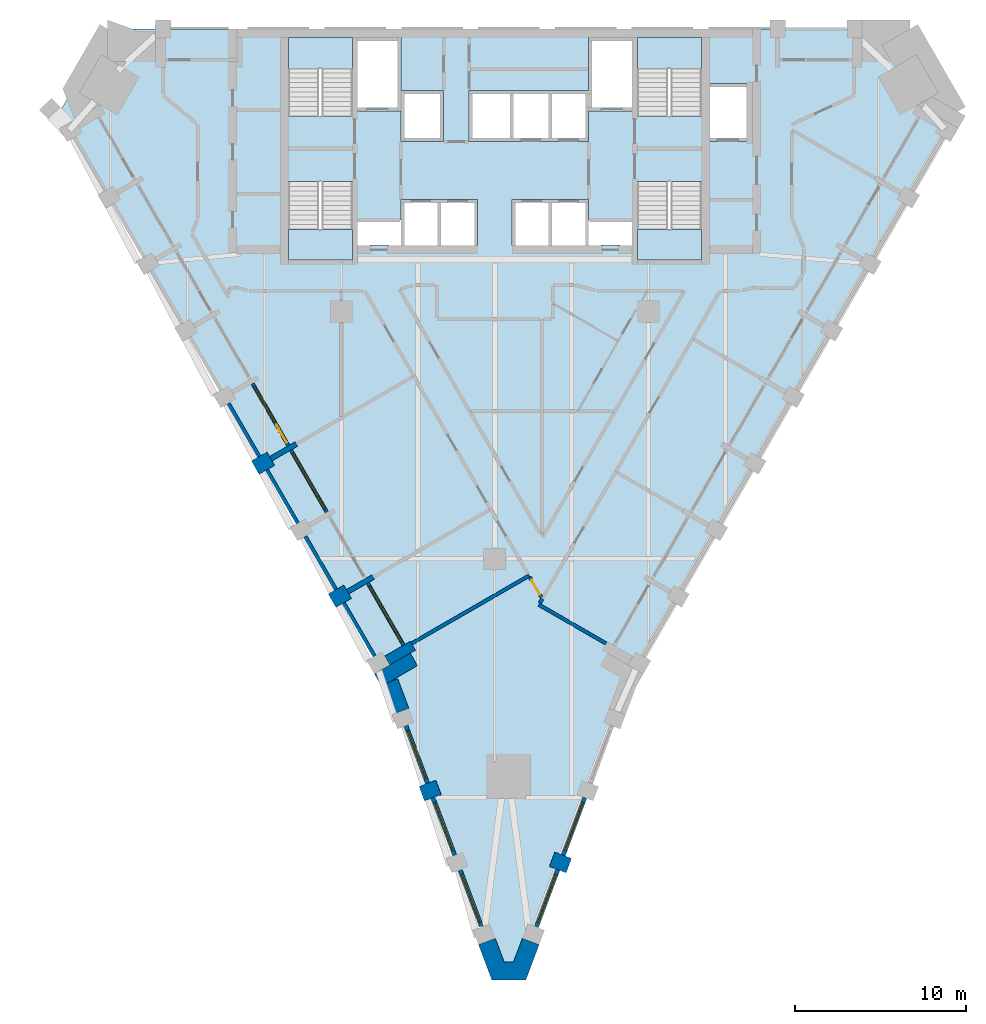
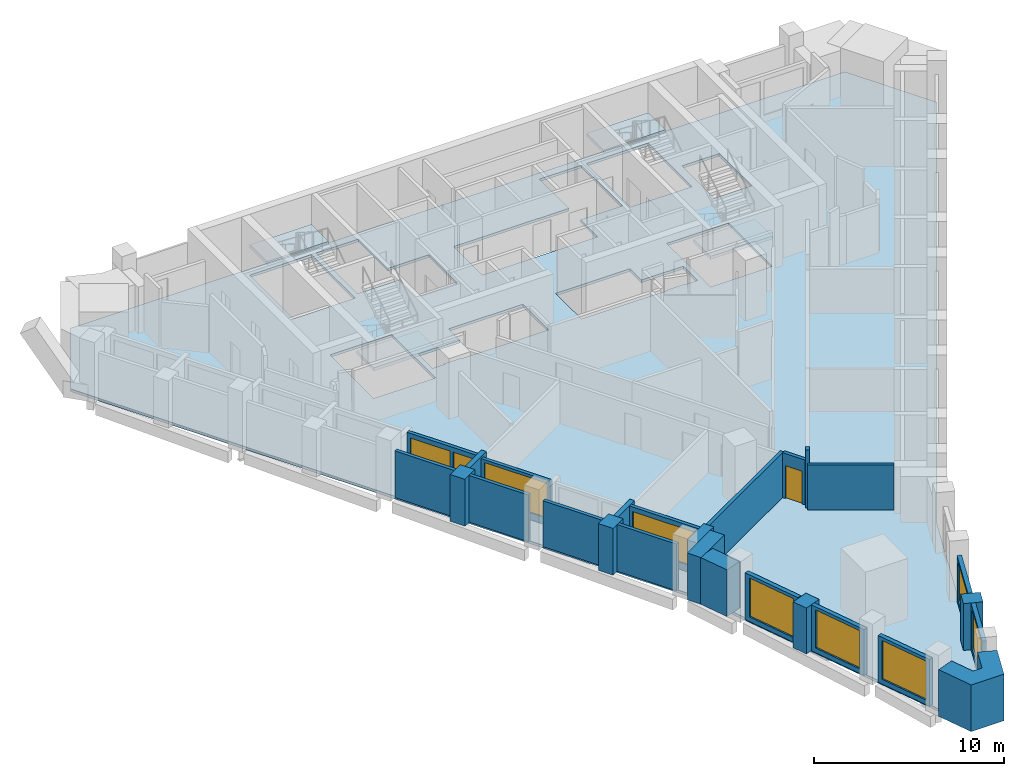
# One storey, part 2 of 9: 26 walls, 8 windows, 5 slabs, 2 doors, 10 openings, 4 elements without a shape of their own.
"""IFC4 building model written with IfcOpenShell, lengths in metres."""

import ifcopenshell
import ifcopenshell.guid

model = None  # the IFC model being written
_history = None  # IfcOwnerHistory: only IFC2X3 demands one
_inside = {}  # id of a spatial element -> (the spatial element, [elements in it])
_under = {}  # id of a project, library or spatial element -> (it, [spatial elements below it])
_declared = {}  # id of a project -> (the project, [libraries it declares])
_typed = {}  # id of a type object -> (the type object, [elements of that type])
_made_of = {}  # id of a material, layer set ... -> (it, [elements and type objects made of it])


def new_model(schema):
    """Start an empty IFC model of exactly this schema.

    Asked for "IFC4X3", IfcOpenShell would pick the latest addendum, in which some entities
    have other attributes; the version numbers below select the first issue.
    IFC2X3 requires an IfcOwnerHistory on every rooted entity: one is made here for all.
    """
    global model, _history
    if schema == "IFC4X3":
        model = ifcopenshell.file(schema_version=(4, 3, 0, 0))
    else:
        model = ifcopenshell.file(schema=schema)
    _inside.clear()
    _under.clear()
    _declared.clear()
    _typed.clear()
    _made_of.clear()
    _history = None
    if model.schema == "IFC2X3":
        org = make("IfcOrganization", Name="unknown")
        user = make(
            "IfcPersonAndOrganization",
            ThePerson=make("IfcPerson", FamilyName="unknown"),
            TheOrganization=org,
        )
        app = make(
            "IfcApplication",
            ApplicationDeveloper=org,
            Version="unknown",
            ApplicationFullName="unknown",
            ApplicationIdentifier="unknown",
        )
        _history = make(
            "IfcOwnerHistory",
            OwningUser=user,
            OwningApplication=app,
            ChangeAction="ADDED",
            CreationDate=0,
        )
    return model


def make(cls, **values):
    """One entity of the class cls with the attributes given. An attribute that is None is left unset."""
    return model.create_entity(
        cls, **{name: value for name, value in values.items() if value is not None}
    )


def rooted(cls, **values):
    """An entity with a GlobalId (a new one), such as an element, a storey or a relation."""
    return make(cls, GlobalId=ifcopenshell.guid.new(), OwnerHistory=_history, **values)


def si_unit(unit_type, name, prefix=None):
    """IfcSIUnit, for example si_unit("LENGTHUNIT", "METRE", prefix="MILLI")."""
    return make("IfcSIUnit", UnitType=unit_type, Prefix=prefix, Name=name)


def assignment(units):
    """IfcUnitAssignment: the units of a project."""
    return None if units is None else make("IfcUnitAssignment", Units=units)


def point(xyz):
    """IfcCartesianPoint."""
    return None if xyz is None else make("IfcCartesianPoint", Coordinates=xyz)


def direction(xyz):
    """IfcDirection."""
    return None if xyz is None else make("IfcDirection", DirectionRatios=xyz)


def frame(location, z_axis=None, x_axis=None):
    """IfcAxis2Placement3D, a coordinate frame: its origin and axes. An axis left out is left unset."""
    return make(
        "IfcAxis2Placement3D",
        Location=point(location),
        Axis=direction(z_axis),
        RefDirection=direction(x_axis),
    )


def frame_2d(location, x_axis=None):
    """IfcAxis2Placement2D, a coordinate frame in the plane: its origin and x axis."""
    return make(
        "IfcAxis2Placement2D", Location=point(location), RefDirection=direction(x_axis)
    )


def origin():
    """The frame at (0, 0, 0) with its axes left unset."""
    return frame((0.0, 0.0, 0.0))


def place(relative_to, where):
    """IfcLocalPlacement: puts the frame where relative to a parent placement (None: the world)."""
    return make(
        "IfcLocalPlacement", PlacementRelTo=relative_to, RelativePlacement=where
    )


def context(
    kind, dimensions, precision=None, world=None, true_north=None, identifier=None
):
    """IfcGeometricRepresentationContext, for example the 3D "Model" context."""
    return make(
        "IfcGeometricRepresentationContext",
        ContextIdentifier=identifier,
        ContextType=kind,
        CoordinateSpaceDimension=dimensions,
        Precision=precision,
        WorldCoordinateSystem=world,
        TrueNorth=true_north,
    )


def subcontext(parent, identifier, kind, view, scale=None):
    """IfcGeometricRepresentationSubContext, for example "Body" below "Model"."""
    return make(
        "IfcGeometricRepresentationSubContext",
        ContextIdentifier=identifier,
        ContextType=kind,
        ParentContext=parent,
        TargetScale=scale,
        TargetView=view,
    )


def project(units=None, contexts=None):
    """IfcProject with its units and contexts."""
    return rooted(
        "IfcProject",
        Name="project",
        RepresentationContexts=contexts,
        UnitsInContext=assignment(units),
    )


def spatial(cls, under=None, at=None, **own):
    """A site, building, storey or space (cls), placed at a placement, below another one or the project."""
    s = rooted(cls, ObjectPlacement=at, **own)
    if under is not None:
        _under.setdefault(under.id(), (under, []))[1].append(s)
    return s


def polyline(points):
    """IfcPolyline through the points."""
    return make("IfcPolyline", Points=[point(p) for p in points])


def profile(cls, at=None, kind="AREA", **sizes):
    """A parametric profile (cls). Its sizes go by their IFC names, for example OverallWidth=200.0."""
    return make(cls, ProfileType=kind, Position=at, **sizes)


def rectangle(**sizes):
    """IfcRectangleProfileDef."""
    return profile("IfcRectangleProfileDef", **sizes)


def outline(outer, holes=None, kind="AREA"):
    """IfcArbitraryClosedProfileDef: a profile drawn as a closed curve; with holes, ...WithVoids."""
    if holes is None:
        return make("IfcArbitraryClosedProfileDef", ProfileType=kind, OuterCurve=outer)
    return make(
        "IfcArbitraryProfileDefWithVoids",
        ProfileType=kind,
        OuterCurve=outer,
        InnerCurves=holes,
    )


def extrude(swept, where, along, depth):
    """IfcExtrudedAreaSolid: the profile swept, set in the frame where, extruded along a direction by depth."""
    return make(
        "IfcExtrudedAreaSolid",
        SweptArea=swept,
        Position=where,
        ExtrudedDirection=direction(along),
        Depth=depth,
    )


def shape(context_of_items, identifier, shape_type, items):
    """IfcShapeRepresentation: the items that make up one representation, for example the "Body"."""
    return make(
        "IfcShapeRepresentation",
        ContextOfItems=context_of_items,
        RepresentationIdentifier=identifier,
        RepresentationType=shape_type,
        Items=items,
    )


def material(Name=None, Category=None):
    """IfcMaterial."""
    return make("IfcMaterial", Name=Name, Category=Category)


def layer(
    of_material, thickness, ventilated=None, Name=None, Category=None, Priority=None
):
    """IfcMaterialLayer: one layer of a wall or slab, of a material (None: an air gap)."""
    return make(
        "IfcMaterialLayer",
        Material=of_material,
        LayerThickness=thickness,
        IsVentilated=ventilated,
        Name=Name,
        Category=Category,
        Priority=Priority,
    )


def layer_set(layers, Name=None):
    """IfcMaterialLayerSet."""
    return make("IfcMaterialLayerSet", MaterialLayers=layers, LayerSetName=Name)


def made_of(thing, what):
    """Note that an element or type object is made of a material, layer set ...; save() writes the relation."""
    if what is not None:
        _made_of.setdefault(what.id(), (what, []))[1].append(thing)
    return thing


def type_object(cls, material=None, **own):
    """A type object (cls), such as IfcWallType, which elements share."""
    return made_of(rooted(cls, **own), material)


def element(
    cls,
    number,
    at=None,
    inside=None,
    cuts=None,
    type_object=None,
    material=None,
    context=None,
    identifier="Body",
    shape_type=None,
    held_by="IfcProductDefinitionShape",
    body=None,
    shapes=None,
    **own,
):
    """One element of the class cls, such as IfcWall. Its Tag is "e" and its number.

    at: its placement. inside: the storey or other place that contains it. cuts: it is an
    opening in that element (IfcRelVoidsElement). A single representation is given by context,
    identifier, shape_type and body (its items); several are given by shapes. held_by: the class
    of the entity that holds the representations. save() writes the other relations.
    """
    e = rooted(cls, Tag="e%d" % number, ObjectPlacement=at, **own)
    if body is not None:
        shapes = [shape(context, identifier, shape_type, body)]
    if shapes is not None:
        e.Representation = make(held_by, Representations=shapes)
    if inside is not None:
        _inside.setdefault(inside.id(), (inside, []))[1].append(e)
    if cuts is not None:
        rooted(
            "IfcRelVoidsElement", RelatingBuildingElement=cuts, RelatedOpeningElement=e
        )
    if type_object is not None:
        _typed.setdefault(type_object.id(), (type_object, []))[1].append(e)
    return made_of(e, material)


def fill(opening, filler):
    """IfcRelFillsElement: the door or window that sits in an opening."""
    return rooted(
        "IfcRelFillsElement",
        RelatingOpeningElement=opening,
        RelatedBuildingElement=filler,
    )


def aggregate(whole, parts):
    """IfcRelAggregates: a whole, such as a stair, and the parts it consists of."""
    return rooted("IfcRelAggregates", RelatingObject=whole, RelatedObjects=parts)


def save(model, path):
    """Write the relations noted so far, then the file.

    IfcRelAggregates (storeys below a building ...), IfcRelContainedInSpatialStructure (elements
    in a storey), IfcRelDefinesByType, IfcRelAssociatesMaterial and IfcRelDeclares: one each for
    every whole, place, type object, material and project.
    """
    for whole, parts in _under.values():
        aggregate(whole, parts)
    for where, things in _inside.values():
        rooted(
            "IfcRelContainedInSpatialStructure",
            RelatedElements=things,
            RelatingStructure=where,
        )
    for kind, things in _typed.values():
        rooted("IfcRelDefinesByType", RelatedObjects=things, RelatingType=kind)
    for what, things in _made_of.values():
        rooted("IfcRelAssociatesMaterial", RelatedObjects=things, RelatingMaterial=what)
    for by, libraries in _declared.values():
        rooted("IfcRelDeclares", RelatingContext=by, RelatedDefinitions=libraries)
    model.write(path)


model = new_model("IFC4")

# Units and contexts
model_context = context("Model", 3, precision=1e-05, world=origin(), true_north=direction((0.0, 1.0)))
body_context = subcontext(model_context, "Body", "Model", "MODEL_VIEW")
ifc_project = project(units=[si_unit("LENGTHUNIT", "METRE"), si_unit("AREAUNIT", "SQUARE_METRE"), si_unit("VOLUMEUNIT", "CUBIC_METRE"), si_unit("PLANEANGLEUNIT", "RADIAN"), si_unit("MASSUNIT", "GRAM", prefix="KILO")], contexts=[model_context])

# Site, building, storey
site_placement = place(None, origin())
site = spatial("IfcSite", under=ifc_project, at=site_placement, CompositionType="ELEMENT")
building_placement = place(site_placement, origin())
building = spatial("IfcBuilding", under=site, at=building_placement, Name="Calabash Gate Tower", CompositionType="ELEMENT")
storey_placement = place(building_placement, frame((0.0, 0.0, 179.699951171875)))
storey = spatial("IfcBuildingStorey", under=building, at=storey_placement, Name="L42", CompositionType="ELEMENT", Elevation=179.699951171875)

# Slab
ifc_material_1 = material(Name="Concrete C40/50", Category="concrete")
ifc_layer_1 = layer(ifc_material_1, 0.169921875)
ifc_layer_set_1 = layer_set([ifc_layer_1], Name="Composite floor slab 170 Concrete C40/50")
slab_type_1 = type_object("IfcSlabType", Name="Composite floor slab 170 Concrete C40/50", PredefinedType="FLOOR", material=ifc_layer_set_1)
slab_1_placement = place(storey_placement, frame((0.0, 0.0, -0.169921875)))
element("IfcSlab", 1, at=slab_1_placement, inside=storey, type_object=slab_type_1, Name="Floor slab L42", PredefinedType="FLOOR", context=body_context, shape_type="SweptSolid", body=[
    extrude(outline(polyline([(-22.68798828125, 19.052490234375), (24.33154296875, 19.052490234375), (27.12158203125, 14.22021484375), (7.82177734375, -19.207763671875), (1.455078125, -36.147216796875), (0.1884765625, -36.147216796875), (-6.17822265625, -19.207763671875), (-25.477783203125, 14.22021484375), (-22.68798828125, 19.052490234375)]), holes=[polyline([(-3.25, 9.052490234375), (-5.5, 9.052490234375), (-5.5, 7.8525390625), (-8.050048828125, 7.8525390625), (-8.050048828125, 6.3525390625), (-7.324951171875, 6.3525390625), (-7.324951171875, 6.402587890625), (-6.22509765625, 6.402587890625), (-6.22509765625, 6.3525390625), (-5.5, 6.3525390625), (-3.25, 6.3525390625), (-1.0, 6.3525390625), (-1.0, 9.052490234375), (-3.25, 9.052490234375)]), polyline([(5.5, 6.3525390625), (6.22509765625, 6.3525390625), (6.22509765625, 6.402587890625), (7.324951171875, 6.402587890625), (7.324951171875, 6.3525390625), (8.050048828125, 6.3525390625), (8.050048828125, 7.8525390625), (5.5, 7.8525390625), (5.5, 9.052490234375), (3.25, 9.052490234375), (1.0, 9.052490234375), (1.0, 6.3525390625), (3.25, 6.3525390625), (5.5, 6.3525390625)]), polyline([(-5.5, 12.45263671875), (-3.0, 12.45263671875), (-3.0, 15.45263671875), (-5.5, 15.45263671875), (-5.5, 18.552490234375), (-8.050048828125, 18.552490234375), (-8.050048828125, 14.252685546875), (-5.5, 14.252685546875), (-5.5, 12.45263671875)]), polyline([(-1.5, 15.45263671875), (-1.5, 12.45263671875), (1.0, 12.45263671875), (3.25, 12.45263671875), (5.5, 12.45263671875), (5.5, 14.252685546875), (8.050048828125, 14.252685546875), (8.050048828125, 18.552490234375), (5.5, 18.552490234375), (5.5, 15.45263671875), (3.25, 15.45263671875), (1.0, 15.45263671875), (-1.5, 15.45263671875)]), polyline([(14.85009765625, 15.8525390625), (12.60009765625, 15.8525390625), (12.60009765625, 12.45263671875), (14.85009765625, 12.45263671875), (14.85009765625, 15.8525390625)]), polyline([(-8.35009765625, 18.552490234375), (-12.10009765625, 18.552490234375), (-12.10009765625, 13.95263671875), (-8.35009765625, 13.95263671875), (-8.35009765625, 18.552490234375)]), polyline([(-12.10009765625, 10.1025390625), (-12.10009765625, 5.502685546875), (-8.35009765625, 5.502685546875), (-8.35009765625, 10.1025390625), (-12.10009765625, 10.1025390625)]), polyline([(8.35009765625, 13.95263671875), (12.10009765625, 13.95263671875), (12.10009765625, 18.552490234375), (8.35009765625, 18.552490234375), (8.35009765625, 13.95263671875)]), polyline([(12.10009765625, 5.502685546875), (12.10009765625, 10.1025390625), (8.35009765625, 10.1025390625), (8.35009765625, 5.502685546875), (12.10009765625, 5.502685546875)])]), origin(), (0.0, 0.0, 1.0), 0.169921875),
])

# Stair, slab
ifc_material_2 = material(Name="Concrete C40/50", Category="concrete")
stair_type = type_object("IfcStairType", Name="Exit stair 22 risers of 177.3 mm", PredefinedType="HALF_TURN_STAIR", material=ifc_material_2)
stair_1_placement = place(storey_placement, origin())
stair_1 = element("IfcStair", 2, at=stair_1_placement, inside=storey, type_object=stair_type, Name="L42 Exit stair ST1", PredefinedType="HALF_TURN_STAIR")
ifc_material_3 = material(Name="Concrete C40/50", Category="concrete")
ifc_layer_2 = layer(ifc_material_3, 0.199951171875)
ifc_layer_set_2 = layer_set([ifc_layer_2], Name="Stair landing SL200")
slab_type_2 = type_object("IfcSlabType", Name="Stair landing SL200", PredefinedType="LANDING", material=ifc_layer_set_2)
slab_2_placement = place(storey_placement, frame((0.0, 0.0, 1.75)))
slab_2 = element("IfcSlab", 3, at=slab_2_placement, type_object=slab_type_2, Name="ST1 landing 1", PredefinedType="LANDING", context=body_context, shape_type="SweptSolid", body=[
    extrude(outline(polyline([(-8.35009765625, 16.74267578125), (-8.35009765625, 18.552490234375), (-12.10009765625, 18.552490234375), (-12.10009765625, 16.74267578125), (-8.35009765625, 16.74267578125)])), origin(), (0.0, 0.0, 1.0), 0.199951171875),
])
aggregate(stair_1, [slab_2])

stair_2_placement = place(storey_placement, origin())
stair_2 = element("IfcStair", 4, at=stair_2_placement, inside=storey, type_object=stair_type, Name="L42 Exit stair ST2", PredefinedType="HALF_TURN_STAIR")
slab_3_placement = place(storey_placement, frame((0.0, 0.0, 1.75)))
slab_3 = element("IfcSlab", 5, at=slab_3_placement, type_object=slab_type_2, Name="ST2 landing 1", PredefinedType="LANDING", context=body_context, shape_type="SweptSolid", body=[
    extrude(outline(polyline([(-12.10009765625, 7.3125), (-12.10009765625, 5.502685546875), (-8.35009765625, 5.502685546875), (-8.35009765625, 7.3125), (-12.10009765625, 7.3125)])), origin(), (0.0, 0.0, 1.0), 0.199951171875),
])
aggregate(stair_2, [slab_3])

stair_3_placement = place(storey_placement, origin())
stair_3 = element("IfcStair", 6, at=stair_3_placement, inside=storey, type_object=stair_type, Name="L42 Exit stair ST3", PredefinedType="HALF_TURN_STAIR")
slab_4_placement = place(storey_placement, frame((0.0, 0.0, 1.75)))
slab_4 = element("IfcSlab", 7, at=slab_4_placement, type_object=slab_type_2, Name="ST3 landing 1", PredefinedType="LANDING", context=body_context, shape_type="SweptSolid", body=[
    extrude(outline(polyline([(12.10009765625, 16.74267578125), (12.10009765625, 18.552490234375), (8.35009765625, 18.552490234375), (8.35009765625, 16.74267578125), (12.10009765625, 16.74267578125)])), origin(), (0.0, 0.0, 1.0), 0.199951171875),
])
aggregate(stair_3, [slab_4])

stair_4_placement = place(storey_placement, origin())
stair_4 = element("IfcStair", 8, at=stair_4_placement, inside=storey, type_object=stair_type, Name="L42 Exit stair ST4", PredefinedType="HALF_TURN_STAIR")
slab_5_placement = place(storey_placement, frame((0.0, 0.0, 1.75)))
slab_5 = element("IfcSlab", 9, at=slab_5_placement, type_object=slab_type_2, Name="ST4 landing 1", PredefinedType="LANDING", context=body_context, shape_type="SweptSolid", body=[
    extrude(outline(polyline([(8.35009765625, 7.3125), (8.35009765625, 5.502685546875), (12.10009765625, 5.502685546875), (12.10009765625, 7.3125), (8.35009765625, 7.3125)])), origin(), (0.0, 0.0, 1.0), 0.199951171875),
])
aggregate(stair_4, [slab_5])

# Walls
ifc_material_4 = material(Name="Terracotta brick masonry, exposed face", Category="masonry")
ifc_layer_3 = layer(ifc_material_4, 2.425048828125)
ifc_layer_set_3 = layer_set([ifc_layer_3], Name="Brick corner mass wall 2425")
wall_type_1 = type_object("IfcWallType", Name="Brick corner mass wall 2425", PredefinedType="SOLIDWALL", material=ifc_layer_set_3)
wall_1_placement = place(storey_placement, frame((-6.84521484375, -19.102294921875, 0.0), z_axis=(0.0, 0.0, 1.0), x_axis=(0.866041403502, 0.499972286653, 0.0)))
element("IfcWall", 10, at=wall_1_placement, inside=storey, type_object=wall_type_1, Name="Brick corner pier S12 1", PredefinedType="SOLIDWALL", context=body_context, shape_type="SweptSolid", body=[
    extrude(rectangle(XDim=2.425048828125, YDim=0.849609375, at=frame_2d((1.21240234375, 0.0))), origin(), (0.0, 0.0, 1.0), 3.0),
])
ifc_material_5 = material(Name="Terracotta brick masonry, exposed face", Category="masonry")
ifc_layer_4 = layer(ifc_material_5, 1.050048828125)
ifc_layer_set_4 = layer_set([ifc_layer_4], Name="Brick end wall 1050")
wall_type_2 = type_object("IfcWallType", Name="Brick end wall 1050", PredefinedType="SOLIDWALL", material=ifc_layer_set_4)
for number, where, z_axis, x_axis, name in (
    (11, (-14.03271484375, -6.6533203125, 0.0), (0.0, 0.0, 1.0), (0.866088799389, 0.499890179513, 0.0), "Brick pier S12 SW0.5"),
    (12, (-8.623291015625, -13.922607421875, 0.0), (0.0, 0.0, 1.0), (-0.866088799389, -0.499890179513, 0.0), "Brick pier S12 SW0.7"),
):
    element("IfcWall", number, at=place(storey_placement, frame(where, z_axis=z_axis, x_axis=x_axis)), inside=storey, type_object=wall_type_2, Name=name, PredefinedType="SOLIDWALL", context=body_context, shape_type="SweptSolid", body=[
        extrude(rectangle(XDim=1.050048828125, YDim=0.89990234375, at=frame_2d((0.52490234375, 0.0))), origin(), (0.0, 0.0, 1.0), 3.0),
    ])
wall_2_placement = place(storey_placement, frame((-3.294921875, -25.38671875, 0.0), z_axis=(0.0, 0.0, 1.0), x_axis=(-0.936080509118, -0.351785844584, 0.0)))
element("IfcWall", 13, at=wall_2_placement, inside=storey, type_object=wall_type_2, Name="Brick pier S12 wedge1.1", PredefinedType="SOLIDWALL", context=body_context, shape_type="SweptSolid", body=[
    extrude(rectangle(XDim=1.050048828125, YDim=0.89990234375, at=frame_2d((0.52490234375, 0.0))), origin(), (0.0, 0.0, 1.0), 2.9501953125),
])
wall_3_placement = place(storey_placement, frame((3.35546875, -29.598876953125, 0.0), z_axis=(0.0, 0.0, 1.0), x_axis=(0.936003928089, -0.351989554676, 0.0)))
element("IfcWall", 14, at=wall_3_placement, inside=storey, type_object=wall_type_2, Name="Brick pier S12 wedge3.1", PredefinedType="SOLIDWALL", context=body_context, shape_type="SweptSolid", body=[
    extrude(rectangle(XDim=1.050048828125, YDim=0.89990234375, at=frame_2d((0.52490234375, 0.0))), origin(), (0.0, 0.0, 1.0), 3.0),
])
wall_4_placement = place(storey_placement, origin())
element("IfcWall", 15, at=wall_4_placement, inside=storey, type_object=wall_type_2, Name="Brick end wall S12 1", PredefinedType="SOLIDWALL", context=body_context, shape_type="SweptSolid", body=[
    extrude(outline(polyline([(-5.036376953125, -20.753173828125), (-5.686767578125, -19.023193359375), (-6.17822265625, -19.207763671875), (-6.6328125, -19.47021484375), (-6.654296875, -19.432861328125), (-6.01953125, -21.122314453125), (-5.036865234375, -20.753173828125), (-5.036865234375, -20.753173828125), (-5.036376953125, -20.753173828125)])), origin(), (0.0, 0.0, 1.0), 3.0),
])
wall_5_placement = place(storey_placement, origin())
element("IfcWall", 16, at=wall_5_placement, inside=storey, type_object=wall_type_2, Name="Brick end wall S12 2", PredefinedType="SOLIDWALL", context=body_context, shape_type="SweptSolid", body=[
    extrude(outline(polyline([(0.552001953125, -35.622314453125), (0.02978515625, -34.232421875), (-0.953125, -34.60205078125), (-0.175048828125, -36.67236328125), (1.818603515625, -36.67236328125), (2.596923828125, -34.601806640625), (1.614013671875, -34.232421875), (1.091552734375, -35.622314453125), (0.552001953125, -35.622314453125)])), origin(), (0.0, 0.0, 1.0), 3.0),
])
ifc_material_6 = material(Name="Terracotta brick masonry, exposed face", Category="masonry")
ifc_layer_5 = layer(ifc_material_6, 0.300048828125)
ifc_layer_set_5 = layer_set([ifc_layer_5], Name="Brick loggia cheek wall 300")
wall_type_3 = type_object("IfcWallType", Name="Brick loggia cheek wall 300", PredefinedType="SOLIDWALL", material=ifc_layer_set_5)
for number, where, z_axis, x_axis, name in (
    (17, (-11.62939453125, -5.265869140625, 0.0), (0.0, 0.0, 1.0), (-0.866013532718, -0.500020560727, 0.0), "Loggia cheek S12 SW0.5"),
    (18, (-8.623291015625, -13.922607421875, 0.0), (0.0, 0.0, 1.0), (0.866013532718, 0.500020560727, 0.0), "Loggia cheek S12 SW0.7"),
):
    element("IfcWall", number, at=place(storey_placement, frame(where, z_axis=z_axis, x_axis=x_axis)), inside=storey, type_object=wall_type_3, Name=name, PredefinedType="SOLIDWALL", context=body_context, shape_type="SweptSolid", body=[
        extrude(rectangle(XDim=1.72509765625, YDim=0.300048828125, at=frame_2d((0.862548828125, 0.0))), origin(), (0.0, 0.0, 1.0), 3.0),
    ])
wall_6_placement = place(storey_placement, frame((-4.804443359375, -17.087158203125, 0.0), z_axis=(0.0, 0.0, 1.0), x_axis=(-0.866013532718, -0.500020560727, 0.0)))
element("IfcWall", 19, at=wall_6_placement, inside=storey, type_object=wall_type_3, Name="Loggia cheek S12 SW0.8", PredefinedType="SOLIDWALL", context=body_context, shape_type="SweptSolid", body=[
    extrude(rectangle(XDim=1.72509765625, YDim=0.60009765625, at=frame_2d((0.862548828125, 0.0))), origin(), (0.0, 0.0, 1.0), 3.0),
])
ifc_material_7 = material(Name="Gypsum board on steel studs, mineral wool", Category="steel")
ifc_layer_6 = layer(ifc_material_7, 0.199951171875)
ifc_layer_set_6 = layer_set([ifc_layer_6], Name="Partition 200 gypsum board EI 60")
wall_type_4 = type_object("IfcWallType", Name="Partition 200 gypsum board EI 60", PredefinedType="PARTITIONING", material=ifc_layer_set_6)
wall_7_placement = place(storey_placement, frame((2.58251953125, -14.6826171875, 0.0), z_axis=(0.0, 0.0, 1.0), x_axis=(0.866012237902, -0.500022803284, 0.0)))
element("IfcWall", 20, at=wall_7_placement, inside=storey, type_object=wall_type_4, Name="Partition", PredefinedType="PARTITIONING", context=body_context, shape_type="SweptSolid", body=[
    extrude(rectangle(XDim=4.550048828125, YDim=0.199951171875, at=frame_2d((2.27490234375, 0.0))), origin(), (0.0, 0.0, 1.0), 2.884033203125),
])
wall_8_placement = place(storey_placement, frame((2.63232421875, -14.595947265625, 0.0), z_axis=(0.0, 0.0, 1.0), x_axis=(0.499074005857, 0.866559367082, 0.0)))
element("IfcWall", 21, at=wall_8_placement, inside=storey, type_object=wall_type_4, Name="Partition", PredefinedType="PARTITIONING", context=body_context, shape_type="SweptSolid", body=[
    extrude(rectangle(XDim=0.30419921875, YDim=0.199951171875, at=frame_2d((0.152099609375, 0.0))), origin(), (0.0, 0.0, 1.0), 3.72998046875),
])

# Wall, opening, door
wall_9_placement = place(storey_placement, frame((2.05419921875, -13.0703125, 0.0), z_axis=(0.0, 0.0, 1.0), x_axis=(0.500759821175, -0.865586276172, 0.0)))
wall_9 = element("IfcWall", 22, at=wall_9_placement, inside=storey, type_object=wall_type_4, Name="Partition", PredefinedType="PARTITIONING", context=body_context, shape_type="SweptSolid", body=[
    extrude(rectangle(XDim=1.35791015625, YDim=0.199951171875, at=frame_2d((0.678955078125, 0.0))), origin(), (0.0, 0.0, 1.0), 2.884033203125),
])
opening_1_placement = place(wall_9_placement, frame((0.178955078125, 0.0, 0.0)))
opening_1 = element("IfcOpeningElement", 23, at=opening_1_placement, cuts=wall_9, Name="Opening 42-44-011", PredefinedType="OPENING", context=body_context, shape_type="SweptSolid", body=[
    extrude(rectangle(XDim=1.0, YDim=2.10009765625, at=frame_2d((0.5, 1.050048828125))), frame((0.0, 0.10986328125, 0.0), z_axis=(0.0, -1.0, 0.0), x_axis=(1.0, 0.0, 0.0)), (0.0, 0.0, 1.0), 0.219970703125),
])
ifc_material_8 = material(Name="Steel fire door set with fire-resisting glazing", Category="steel")
door_type_1 = type_object("IfcDoorType", Name="LD2 Meeting room door 1000x2100", OperationType="NOTDEFINED", PredefinedType="DOOR", material=ifc_material_8)
door_1_placement = place(opening_1_placement, origin())
door_1 = element("IfcDoor", 24, at=door_1_placement, inside=storey, type_object=door_type_1, Name="Meeting room door", OperationType="SINGLE_SWING_RIGHT", OverallHeight=2.10009765625, OverallWidth=1.0, PredefinedType="DOOR", context=body_context, shape_type="SweptSolid", body=[
    extrude(rectangle(XDim=1.0, YDim=2.10009765625, at=frame_2d((0.5, 1.050048828125))), frame((0.0, 0.02490234375, 0.0), z_axis=(0.0, -1.0, 0.0), x_axis=(1.0, 0.0, 0.0)), (0.0, 0.0, 1.0), 0.050048828125),
])
fill(opening_1, door_1)

# Wall
wall_10_placement = place(storey_placement, frame((-4.879150390625, -16.957763671875, 0.0), z_axis=(0.0, 0.0, 1.0), x_axis=(0.866110929286, 0.499851836219, 0.0)))
element("IfcWall", 25, at=wall_10_placement, inside=storey, type_object=wall_type_4, Name="Partition", PredefinedType="PARTITIONING", context=body_context, shape_type="SweptSolid", body=[
    extrude(rectangle(XDim=7.94970703125, YDim=0.199951171875, at=frame_2d((3.974853515625, 0.0))), origin(), (0.0, 0.0, 1.0), 2.884033203125),
])

# Wall, opening, window
ifc_material_9 = material(Name="Aluminium framed window wall with insulated spandrel", Category="aluminium")
ifc_layer_7 = layer(ifc_material_9, 0.25)
ifc_layer_set_7 = layer_set([ifc_layer_7], Name="Prow window wall 250")
wall_type_5 = type_object("IfcWallType", Name="Prow window wall 250", PredefinedType="ELEMENTEDWALL", material=ifc_layer_set_7)
wall_11_placement = place(storey_placement, frame((-5.211181640625, -21.7802734375, 0.0), z_axis=(0.0, 0.0, 1.0), x_axis=(0.351769947693, -0.936086483131, 0.0)))
wall_11 = element("IfcWall", 26, at=wall_11_placement, inside=storey, type_object=wall_type_5, Name="Prow window wall S12 wedge1.1", PredefinedType="ELEMENTEDWALL", context=body_context, shape_type="SweptSolid", body=[
    extrude(rectangle(XDim=3.599853515625, YDim=0.25, at=frame_2d((1.7998046875, 0.0))), origin(), (0.0, 0.0, 1.0), 3.0),
])
opening_2_placement = place(wall_11_placement, frame((0.300048828125, 0.0, 0.300048828125)))
opening_2 = element("IfcOpeningElement", 27, at=opening_2_placement, cuts=wall_11, Name="Opening WP2", PredefinedType="OPENING", context=body_context, shape_type="SweptSolid", body=[
    extrude(rectangle(XDim=3.0, YDim=2.5, at=frame_2d((1.5, 1.25))), frame((0.0, 0.135009765625, 0.0), z_axis=(0.0, -1.0, 0.0), x_axis=(1.0, 0.0, 0.0)), (0.0, 0.0, 1.0), 0.27001953125),
])
ifc_material_10 = material(Name="Anodised aluminium frame, bronze finish, impact-rated laminated clear glazing", Category="aluminium")
window_type_1 = type_object("IfcWindowType", Name="Window WP2 3000x2500", PartitioningType="DOUBLE_PANEL_VERTICAL", PredefinedType="WINDOW", material=ifc_material_10)
window_1_placement = place(opening_2_placement, origin())
window_1 = element("IfcWindow", 28, at=window_1_placement, inside=storey, type_object=window_type_1, Name="Prow window WP2 S12 wedge1.1", OverallHeight=2.5, OverallWidth=3.0, PartitioningType="SINGLE_PANEL", PredefinedType="WINDOW", context=body_context, shape_type="SweptSolid", body=[
    extrude(rectangle(XDim=3.0, YDim=2.5, at=frame_2d((1.5, 1.25))), frame((0.0, 0.030029296875, 0.0), z_axis=(0.0, -1.0, 0.0), x_axis=(1.0, 0.0, 0.0)), (0.0, 0.0, 1.0), 0.06005859375),
])
fill(opening_2, window_1)

wall_12_placement = place(storey_placement, frame((-3.628173828125, -25.99267578125, 0.0), z_axis=(0.0, 0.0, 1.0), x_axis=(0.351829371284, -0.936064150314, 0.0)))
wall_12 = element("IfcWall", 29, at=wall_12_placement, inside=storey, type_object=wall_type_5, Name="Prow window wall S12 wedge1.2", PredefinedType="ELEMENTEDWALL", context=body_context, shape_type="SweptSolid", body=[
    extrude(rectangle(XDim=3.60009765625, YDim=0.25, at=frame_2d((1.800048828125, 0.0))), origin(), (0.0, 0.0, 1.0), 2.9501953125),
])
opening_3_placement = place(wall_12_placement, frame((0.300048828125, 0.0, 0.300048828125)))
opening_3 = element("IfcOpeningElement", 30, at=opening_3_placement, cuts=wall_12, Name="Opening WP2L-2450", PredefinedType="OPENING", context=body_context, shape_type="SweptSolid", body=[
    extrude(rectangle(XDim=3.0, YDim=2.449951171875, at=frame_2d((1.5, 1.22509765625))), frame((0.0, 0.135009765625, 0.0), z_axis=(0.0, -1.0, 0.0), x_axis=(1.0, 0.0, 0.0)), (0.0, 0.0, 1.0), 0.27001953125),
])
ifc_material_11 = material(Name="Anodised aluminium frame, bronze finish, impact-rated laminated clear glazing", Category="aluminium")
window_type_2 = type_object("IfcWindowType", Name="Window WP2L 3000x2450", PartitioningType="DOUBLE_PANEL_VERTICAL", PredefinedType="WINDOW", material=ifc_material_11)
window_2_placement = place(opening_3_placement, origin())
window_2 = element("IfcWindow", 31, at=window_2_placement, inside=storey, type_object=window_type_2, Name="Prow window WP2L S12 wedge1.2", OverallHeight=2.449951171875, OverallWidth=3.0, PartitioningType="SINGLE_PANEL", PredefinedType="WINDOW", context=body_context, shape_type="SweptSolid", body=[
    extrude(rectangle(XDim=3.0, YDim=2.449951171875, at=frame_2d((1.5, 1.22509765625))), frame((0.0, 0.030029296875, 0.0), z_axis=(0.0, -1.0, 0.0), x_axis=(1.0, 0.0, 0.0)), (0.0, 0.0, 1.0), 0.06005859375),
])
fill(opening_3, window_2)

wall_13_placement = place(storey_placement, frame((-2.02734375, -30.251708984375, 0.0), z_axis=(0.0, 0.0, 1.0), x_axis=(0.351849563443, -0.936056560634, 0.0)))
wall_13 = element("IfcWall", 32, at=wall_13_placement, inside=storey, type_object=wall_type_5, Name="Prow window wall S12 wedge1.3", PredefinedType="ELEMENTEDWALL", context=body_context, shape_type="SweptSolid", body=[
    extrude(rectangle(XDim=3.5, YDim=0.25, at=frame_2d((1.75, 0.0))), origin(), (0.0, 0.0, 1.0), 3.0),
])
opening_4_placement = place(wall_13_placement, frame((0.25, 0.0, 0.300048828125)))
opening_4 = element("IfcOpeningElement", 33, at=opening_4_placement, cuts=wall_13, Name="Opening WP2", PredefinedType="OPENING", context=body_context, shape_type="SweptSolid", body=[
    extrude(rectangle(XDim=3.0, YDim=2.5, at=frame_2d((1.5, 1.25))), frame((0.0, 0.135009765625, 0.0), z_axis=(0.0, -1.0, 0.0), x_axis=(1.0, 0.0, 0.0)), (0.0, 0.0, 1.0), 0.27001953125),
])
window_3_placement = place(opening_4_placement, origin())
window_3 = element("IfcWindow", 34, at=window_3_placement, inside=storey, type_object=window_type_1, Name="Prow window WP2 S12 wedge1.3", OverallHeight=2.5, OverallWidth=3.0, PartitioningType="SINGLE_PANEL", PredefinedType="WINDOW", context=body_context, shape_type="SweptSolid", body=[
    extrude(rectangle(XDim=3.0, YDim=2.5, at=frame_2d((1.5, 1.25))), frame((0.0, 0.030029296875, 0.0), z_axis=(0.0, -1.0, 0.0), x_axis=(1.0, 0.0, 0.0)), (0.0, 0.0, 1.0), 0.06005859375),
])
fill(opening_4, window_3)

wall_14_placement = place(storey_placement, frame((2.439697265625, -33.52783203125, 0.0), z_axis=(0.0, 0.0, 1.0), x_axis=(0.351778678894, 0.936083202005, 0.0)))
wall_14 = element("IfcWall", 35, at=wall_14_placement, inside=storey, type_object=wall_type_5, Name="Prow window wall S12 wedge3.1", PredefinedType="ELEMENTEDWALL", context=body_context, shape_type="SweptSolid", body=[
    extrude(rectangle(XDim=3.552001953125, YDim=0.25, at=frame_2d((1.77587890625, 0.0))), origin(), (0.0, 0.0, 1.0), 3.0),
])
opening_5_placement = place(wall_14_placement, frame((0.25, 0.0, 0.300048828125)))
opening_5 = element("IfcOpeningElement", 36, at=opening_5_placement, cuts=wall_14, Name="Opening WP2", PredefinedType="OPENING", context=body_context, shape_type="SweptSolid", body=[
    extrude(rectangle(XDim=3.0, YDim=2.5, at=frame_2d((1.5, 1.25))), frame((0.0, 0.135009765625, 0.0), z_axis=(0.0, -1.0, 0.0), x_axis=(1.0, 0.0, 0.0)), (0.0, 0.0, 1.0), 0.27001953125),
])
window_4_placement = place(opening_5_placement, origin())
window_4 = element("IfcWindow", 37, at=window_4_placement, inside=storey, type_object=window_type_1, Name="Prow window WP2 S12 wedge3.1", OverallHeight=2.5, OverallWidth=3.0, PartitioningType="SINGLE_PANEL", PredefinedType="WINDOW", context=body_context, shape_type="SweptSolid", body=[
    extrude(rectangle(XDim=3.0, YDim=2.5, at=frame_2d((1.5, 1.25))), frame((0.0, 0.030029296875, 0.0), z_axis=(0.0, -1.0, 0.0), x_axis=(1.0, 0.0, 0.0)), (0.0, 0.0, 1.0), 0.06005859375),
])
fill(opening_5, window_4)

wall_15_placement = place(storey_placement, frame((4.005126953125, -29.362548828125, 0.0), z_axis=(0.0, 0.0, 1.0), x_axis=(0.351829371284, 0.936064150314, 0.0)))
wall_15 = element("IfcWall", 38, at=wall_15_placement, inside=storey, type_object=wall_type_5, Name="Prow window wall S12 wedge3.2", PredefinedType="ELEMENTEDWALL", context=body_context, shape_type="SweptSolid", body=[
    extrude(rectangle(XDim=3.60009765625, YDim=0.25, at=frame_2d((1.800048828125, 0.0))), origin(), (0.0, 0.0, 1.0), 2.9501953125),
])
opening_6_placement = place(wall_15_placement, frame((0.300048828125, 0.0, 0.300048828125)))
opening_6 = element("IfcOpeningElement", 39, at=opening_6_placement, cuts=wall_15, Name="Opening WP2L-2450", PredefinedType="OPENING", context=body_context, shape_type="SweptSolid", body=[
    extrude(rectangle(XDim=3.0, YDim=2.449951171875, at=frame_2d((1.5, 1.22509765625))), frame((0.0, 0.135009765625, 0.0), z_axis=(0.0, -1.0, 0.0), x_axis=(1.0, 0.0, 0.0)), (0.0, 0.0, 1.0), 0.27001953125),
])
window_5_placement = place(opening_6_placement, origin())
window_5 = element("IfcWindow", 40, at=window_5_placement, inside=storey, type_object=window_type_2, Name="Prow window WP2L S12 wedge3.2", OverallHeight=2.449951171875, OverallWidth=3.0, PartitioningType="SINGLE_PANEL", PredefinedType="WINDOW", context=body_context, shape_type="SweptSolid", body=[
    extrude(rectangle(XDim=3.0, YDim=2.449951171875, at=frame_2d((1.5, 1.22509765625))), frame((0.0, 0.030029296875, 0.0), z_axis=(0.0, -1.0, 0.0), x_axis=(1.0, 0.0, 0.0)), (0.0, 0.0, 1.0), 0.06005859375),
])
fill(opening_6, window_5)

# Walls
ifc_material_12 = material(Name="Terracotta brick masonry, perforated", Category="masonry")
ifc_layer_8 = layer(ifc_material_12, 0.199951171875)
ifc_layer_set_8 = layer_set([ifc_layer_8], Name="Terracotta jaali screen B")
wall_type_6 = type_object("IfcWallType", Name="Terracotta jaali screen B", PredefinedType="SOLIDWALL", material=ifc_layer_set_8)
for number, where, z_axis, x_axis, name in (
    (41, (-15.60302734375, -2.883544921875, 0.0), (0.0, 0.0, 1.0), (0.500012057535, -0.866018442252, 0.0), "SCREEN B S12 SW0.5"),
    (42, (-13.35302734375, -6.780517578125, 0.0), (0.0, 0.0, 1.0), (0.500012057535, -0.866018442252, 0.0), "SCREEN B S12 SW0.6"),
):
    element("IfcWall", number, at=place(storey_placement, frame(where, z_axis=z_axis, x_axis=x_axis)), inside=storey, type_object=wall_type_6, Name=name, PredefinedType="SOLIDWALL", context=body_context, shape_type="SweptSolid", body=[
        extrude(rectangle(XDim=3.60009765625, YDim=0.199951171875, at=frame_2d((1.800048828125, 0.0))), origin(), (0.0, 0.0, 1.0), 3.0),
    ])
wall_16_placement = place(storey_placement, frame((-11.10302734375, -10.677734375, 0.0), z_axis=(0.0, 0.0, 1.0), x_axis=(0.500012057535, -0.866018442252, 0.0)))
element("IfcWall", 43, at=wall_16_placement, inside=storey, type_object=wall_type_6, Name="SCREEN B S12 SW0.7", PredefinedType="SOLIDWALL", context=body_context, shape_type="SweptSolid", body=[
    extrude(rectangle(XDim=3.60009765625, YDim=0.199951171875, at=frame_2d((1.800048828125, 0.0))), origin(), (0.0, 0.0, 1.0), 2.9501953125),
])
wall_17_placement = place(storey_placement, frame((-8.85302734375, -14.574951171875, 0.0), z_axis=(0.0, 0.0, 1.0), x_axis=(0.500012057535, -0.866018442252, 0.0)))
element("IfcWall", 44, at=wall_17_placement, inside=storey, type_object=wall_type_6, Name="SCREEN B S12 SW0.8", PredefinedType="SOLIDWALL", context=body_context, shape_type="SweptSolid", body=[
    extrude(rectangle(XDim=3.60009765625, YDim=0.199951171875, at=frame_2d((1.800048828125, 0.0))), origin(), (0.0, 0.0, 1.0), 3.0),
])

# Wall, openings, door, window
ifc_material_13 = material(Name="Aluminium framed window wall with insulated spandrel", Category="aluminium")
ifc_layer_9 = layer(ifc_material_13, 0.199951171875)
ifc_layer_set_9 = layer_set([ifc_layer_9], Name="Window wall 200")
wall_type_7 = type_object("IfcWallType", Name="Window wall 200", PredefinedType="ELEMENTEDWALL", material=ifc_layer_set_9)
wall_18_placement = place(storey_placement, frame((-14.194091796875, -1.7236328125, 0.0), z_axis=(0.0, 0.0, 1.0), x_axis=(0.499958946799, -0.866049104564, 0.0)))
wall_18 = element("IfcWall", 45, at=wall_18_placement, inside=storey, type_object=wall_type_7, Name="Window wall S12 SW0.5", PredefinedType="ELEMENTEDWALL", context=body_context, shape_type="SweptSolid", body=[
    extrude(rectangle(XDim=4.199951171875, YDim=0.199951171875, at=frame_2d((2.10009765625, 0.0))), origin(), (0.0, 0.0, 1.0), 3.0),
])
opening_7_placement = place(wall_18_placement, frame((0.199951171875, 0.0, 0.449951171875)))
opening_7 = element("IfcOpeningElement", 46, at=opening_7_placement, cuts=wall_18, Name="Opening OW1", PredefinedType="OPENING", context=body_context, shape_type="SweptSolid", body=[
    extrude(rectangle(XDim=2.39990234375, YDim=2.25, at=frame_2d((1.199951171875, 1.125))), frame((0.0, 0.10986328125, 0.0), z_axis=(0.0, -1.0, 0.0), x_axis=(1.0, 0.0, 0.0)), (0.0, 0.0, 1.0), 0.219970703125),
])
opening_8_placement = place(wall_18_placement, frame((2.800048828125, 0.0, 0.0)))
opening_8 = element("IfcOpeningElement", 47, at=opening_8_placement, cuts=wall_18, Name="Opening O4-027", PredefinedType="OPENING", context=body_context, shape_type="SweptSolid", body=[
    extrude(rectangle(XDim=1.199951171875, YDim=2.699951171875, at=frame_2d((0.60009765625, 1.35009765625))), frame((0.0, 0.10986328125, 0.0), z_axis=(0.0, -1.0, 0.0), x_axis=(1.0, 0.0, 0.0)), (0.0, 0.0, 1.0), 0.219970703125),
])
ifc_material_14 = material(Name="Anodised aluminium frame, bronze finish, impact-rated laminated clear glazing", Category="aluminium")
door_type_2 = type_object("IfcDoorType", Name="Loggia door DO1 1200x2700", OperationType="SLIDING_TO_LEFT", PredefinedType="DOOR", material=ifc_material_14)
door_2_placement = place(opening_8_placement, origin())
door_2 = element("IfcDoor", 48, at=door_2_placement, inside=storey, type_object=door_type_2, Name="Loggia door S12 SW0.5", OperationType="SINGLE_SWING_LEFT", OverallHeight=2.699951171875, OverallWidth=1.199951171875, PredefinedType="DOOR", context=body_context, shape_type="SweptSolid", body=[
    extrude(rectangle(XDim=1.199951171875, YDim=2.699951171875, at=frame_2d((0.60009765625, 1.35009765625))), frame((0.0, 0.02490234375, 0.0), z_axis=(0.0, -1.0, 0.0), x_axis=(1.0, 0.0, 0.0)), (0.0, 0.0, 1.0), 0.050048828125),
])
fill(opening_8, door_2)
ifc_material_15 = material(Name="Anodised aluminium frame, bronze finish, impact-rated laminated clear glazing", Category="aluminium")
window_type_3 = type_object("IfcWindowType", Name="Window OW1 2400x2250", PartitioningType="DOUBLE_PANEL_VERTICAL", PredefinedType="WINDOW", material=ifc_material_15)
window_6_placement = place(opening_7_placement, origin())
window_6 = element("IfcWindow", 49, at=window_6_placement, inside=storey, type_object=window_type_3, Name="Window OW1 S12 SW0.5", OverallHeight=2.25, OverallWidth=2.39990234375, PartitioningType="SINGLE_PANEL", PredefinedType="WINDOW", context=body_context, shape_type="SweptSolid", body=[
    extrude(rectangle(XDim=2.39990234375, YDim=2.25, at=frame_2d((1.199951171875, 1.125))), frame((0.0, 0.030029296875, 0.0), z_axis=(0.0, -1.0, 0.0), x_axis=(1.0, 0.0, 0.0)), (0.0, 0.0, 1.0), 0.06005859375),
])
fill(opening_7, window_6)

# Wall, opening, window
wall_19_placement = place(storey_placement, frame((-11.944091796875, -5.620849609375, 0.0), z_axis=(0.0, 0.0, 1.0), x_axis=(0.49998411664, -0.866034573852, 0.0)))
wall_19 = element("IfcWall", 50, at=wall_19_placement, inside=storey, type_object=wall_type_7, Name="Window wall S12 SW0.6", PredefinedType="ELEMENTEDWALL", context=body_context, shape_type="SweptSolid", body=[
    extrude(rectangle(XDim=4.199951171875, YDim=0.199951171875, at=frame_2d((2.10009765625, 0.0))), origin(), (0.0, 0.0, 1.0), 2.884033203125),
])
opening_9_placement = place(wall_19_placement, frame((0.199951171875, 0.0, 0.449951171875)))
opening_9 = element("IfcOpeningElement", 51, at=opening_9_placement, cuts=wall_19, Name="Opening OW2", PredefinedType="OPENING", context=body_context, shape_type="SweptSolid", body=[
    extrude(rectangle(XDim=3.800048828125, YDim=2.25, at=frame_2d((1.89990234375, 1.125))), frame((0.0, 0.10986328125, 0.0), z_axis=(0.0, -1.0, 0.0), x_axis=(1.0, 0.0, 0.0)), (0.0, 0.0, 1.0), 0.219970703125),
])
ifc_material_16 = material(Name="Anodised aluminium frame, bronze finish, impact-rated laminated clear glazing", Category="aluminium")
window_type_4 = type_object("IfcWindowType", Name="Window OW2 3800x2250", PartitioningType="TRIPLE_PANEL_VERTICAL", PredefinedType="WINDOW", material=ifc_material_16)
window_7_placement = place(opening_9_placement, origin())
window_7 = element("IfcWindow", 52, at=window_7_placement, inside=storey, type_object=window_type_4, Name="Window OW2 S12 SW0.6", OverallHeight=2.25, OverallWidth=3.800048828125, PartitioningType="SINGLE_PANEL", PredefinedType="WINDOW", context=body_context, shape_type="SweptSolid", body=[
    extrude(rectangle(XDim=3.800048828125, YDim=2.25, at=frame_2d((1.89990234375, 1.125))), frame((0.0, 0.030029296875, 0.0), z_axis=(0.0, -1.0, 0.0), x_axis=(1.0, 0.0, 0.0)), (0.0, 0.0, 1.0), 0.06005859375),
])
fill(opening_9, window_7)

wall_20_placement = place(storey_placement, frame((-7.444091796875, -13.4150390625, 0.0), z_axis=(0.0, 0.0, 1.0), x_axis=(0.49998411664, -0.866034573852, 0.0)))
wall_20 = element("IfcWall", 53, at=wall_20_placement, inside=storey, type_object=wall_type_7, Name="Window wall S12 SW0.8", PredefinedType="ELEMENTEDWALL", context=body_context, shape_type="SweptSolid", body=[
    extrude(rectangle(XDim=4.199951171875, YDim=0.199951171875, at=frame_2d((2.10009765625, 0.0))), origin(), (0.0, 0.0, 1.0), 3.0),
])
opening_10_placement = place(wall_20_placement, frame((0.199951171875, 0.0, 0.449951171875)))
opening_10 = element("IfcOpeningElement", 54, at=opening_10_placement, cuts=wall_20, Name="Opening OW2", PredefinedType="OPENING", context=body_context, shape_type="SweptSolid", body=[
    extrude(rectangle(XDim=3.800048828125, YDim=2.25, at=frame_2d((1.89990234375, 1.125))), frame((0.0, 0.10986328125, 0.0), z_axis=(0.0, -1.0, 0.0), x_axis=(1.0, 0.0, 0.0)), (0.0, 0.0, 1.0), 0.219970703125),
])
window_8_placement = place(opening_10_placement, origin())
window_8 = element("IfcWindow", 55, at=window_8_placement, inside=storey, type_object=window_type_4, Name="Window OW2 S12 SW0.8", OverallHeight=2.25, OverallWidth=3.800048828125, PartitioningType="SINGLE_PANEL", PredefinedType="WINDOW", context=body_context, shape_type="SweptSolid", body=[
    extrude(rectangle(XDim=3.800048828125, YDim=2.25, at=frame_2d((1.89990234375, 1.125))), frame((0.0, 0.030029296875, 0.0), z_axis=(0.0, -1.0, 0.0), x_axis=(1.0, 0.0, 0.0)), (0.0, 0.0, 1.0), 0.06005859375),
])
fill(opening_10, window_8)

save(model, "model.ifc")
